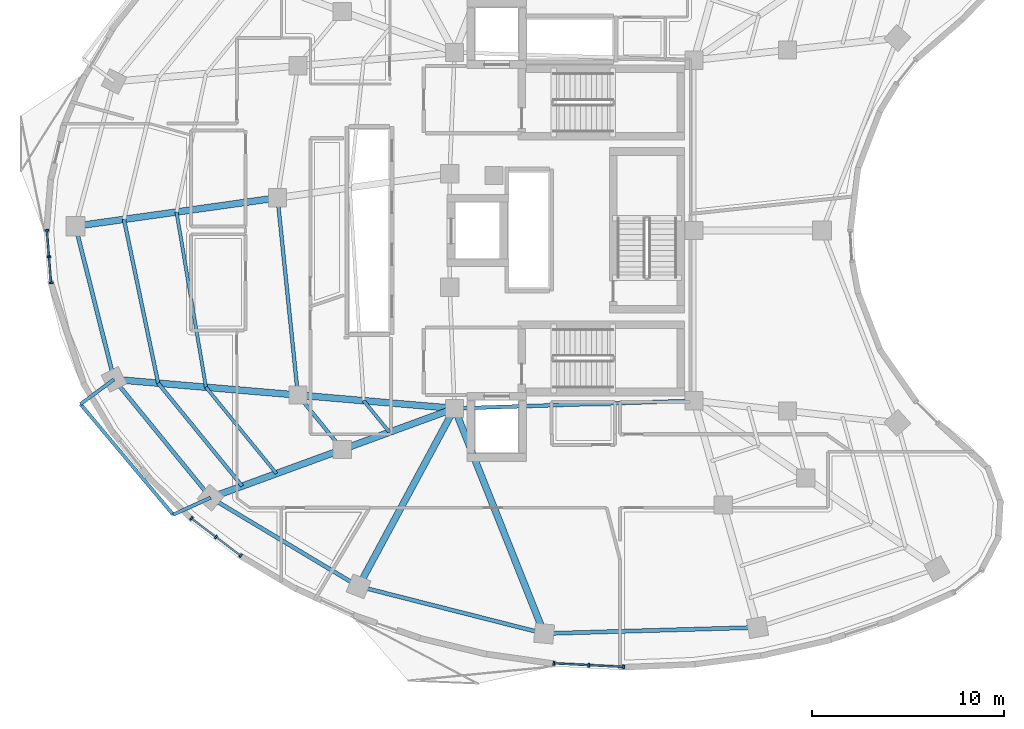
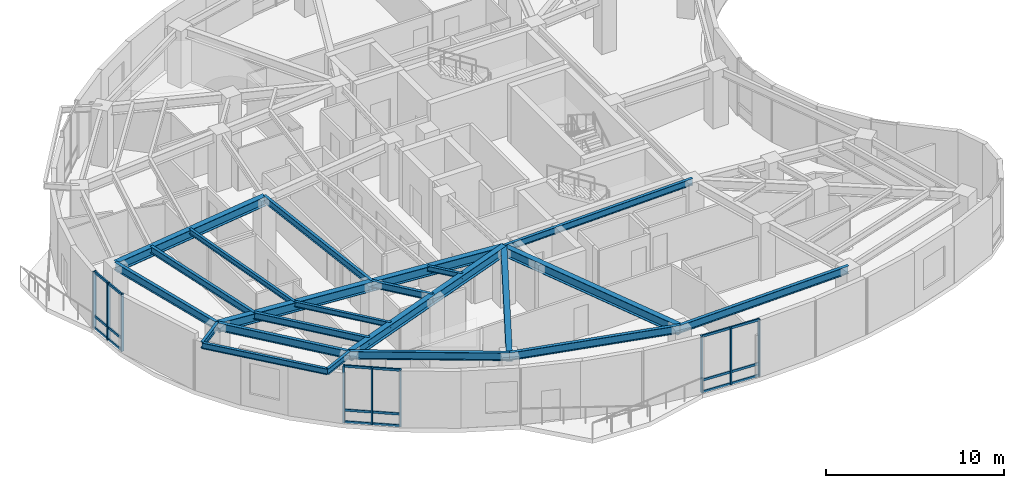
# One storey, part 2 of 14: 27 members, 23 beams, 3 elements without a shape of their own.
"""IFC4 building model written with IfcOpenShell, lengths in metres."""

from ifc_helpers import new_model, si_unit, direction, frame, origin, origin_2d, place, context, subcontext, project, spatial, rectangle, i_section, extrude, material, layer, layer_set, material_profile, profile_set, type_object, element, aggregate, save


model = new_model("IFC4")

# Units and contexts
model_context = context("Model", 3, precision=1e-05, world=origin(), true_north=direction((0.0, 1.0)))
body_context = subcontext(model_context, "Body", "Model", "MODEL_VIEW")
ifc_project = project(units=[si_unit("LENGTHUNIT", "METRE"), si_unit("AREAUNIT", "SQUARE_METRE"), si_unit("VOLUMEUNIT", "CUBIC_METRE"), si_unit("PLANEANGLEUNIT", "RADIAN"), si_unit("MASSUNIT", "GRAM", prefix="KILO")], contexts=[model_context])

# Site, building, storey
site_placement = place(None, origin())
site = spatial("IfcSite", under=ifc_project, at=site_placement, CompositionType="ELEMENT")
building_placement = place(site_placement, origin())
building = spatial("IfcBuilding", under=site, at=building_placement, Name="Korentha Bioscience Tower", CompositionType="ELEMENT")
storey_placement = place(building_placement, frame((0.0, 0.0, 231.0)))
storey = spatial("IfcBuildingStorey", under=building, at=storey_placement, Name="L53", CompositionType="ELEMENT", Elevation=231.0)

# Beams
ifc_material_1 = material(Name="Steel S355", Category="steel")
ifc_material_profile_1 = material_profile(ifc_material_1, i_section(OverallWidth=0.18994140625, OverallDepth=0.45703125, WebThickness=0.009033203125, FlangeThickness=0.014404296875, at=origin_2d()), Name="Steel S355")
ifc_profile_set_1 = profile_set([ifc_material_profile_1], Name="Steel S355 (MB-460)")
beam_type_1 = type_object("IfcBeamType", Name="Mid-Ring Tie Girder W460x74", PredefinedType="BEAM", material=ifc_profile_set_1)
beam_1_placement = place(storey_placement, frame((15.903076171875, 28.69482421875, 3.67138671875), z_axis=(0.102606546494, -0.994722019771, 0.0), x_axis=(0.994722019771, 0.102606546494, 0.0)))
element("IfcBeam", 1, at=beam_1_placement, inside=storey, type_object=beam_type_1, Name="L53 Mid-Ring Tie Girder 07", PredefinedType="BEAM", context=body_context, shape_type="SweptSolid", body=[
    extrude(i_section(OverallWidth=0.18994140625, OverallDepth=0.45703125, WebThickness=0.009033203125, FlangeThickness=0.014404296875, at=origin_2d()), origin(), (0.0, 0.0, 1.0), 10.30517578125),
])
beam_2_placement = place(storey_placement, frame((16.96044921875, 18.444091796875, 3.67138671875), z_axis=(0.632275728894, -0.774743443116, 0.0), x_axis=(0.774743443116, 0.632275728894, 0.0)))
element("IfcBeam", 2, at=beam_2_placement, inside=storey, type_object=beam_type_1, Name="L53 Mid-Ring Tie Girder 08", PredefinedType="BEAM", context=body_context, shape_type="SweptSolid", body=[
    extrude(i_section(OverallWidth=0.18994140625, OverallDepth=0.45703125, WebThickness=0.009033203125, FlangeThickness=0.014404296875, at=origin_2d()), origin(), (0.0, 0.0, 1.0), 3.650146484375),
])
beam_3_placement = place(storey_placement, frame((25.10009765625, 17.75, 3.67138671875), z_axis=(0.999484526071, 0.032104238723, 0.0), x_axis=(-0.032104238723, 0.999484526071, 0.0)))
element("IfcBeam", 3, at=beam_3_placement, inside=storey, type_object=beam_type_1, Name="L53 Core Ring Tie Girder 05", PredefinedType="BEAM", context=body_context, shape_type="SweptSolid", body=[
    extrude(i_section(OverallWidth=0.18994140625, OverallDepth=0.45703125, WebThickness=0.009033203125, FlangeThickness=0.014404296875, at=origin_2d()), origin(), (0.0, 0.0, 1.0), 12.456298828125),
])

# Curtain wall, members
ifc_material_2 = material(Name="Thermally Broken Aluminium Frame", Category="aluminium")
ifc_layer = layer(ifc_material_2, 0.219970703125, Name="Thermally Broken Aluminium Frame")
ifc_layer_set = layer_set([ifc_layer], Name="Thermally Broken Aluminium Frame (CW-T1)")
curtain_wall_type = type_object("IfcCurtainWallType", Name="Standard Bioscience Lab Unitised Curtain Wall CW-T1", PredefinedType="USERDEFINED", material=ifc_layer_set)
curtain_wall_1_placement = place(storey_placement, origin())
curtain_wall_1 = element("IfcCurtainWall", 4, at=curtain_wall_1_placement, inside=storey, type_object=curtain_wall_type, Name="L53 Curtain Wall 19", ObjectType="UNITISED", PredefinedType="USERDEFINED")
ifc_material_3 = material(Name="Anodised Aluminium 6063-T6", Category="aluminium")
ifc_material_profile_2 = material_profile(ifc_material_3, rectangle(XDim=0.090087890625, YDim=0.199951171875, at=origin_2d()), Name="Anodised Aluminium 6063-T6")
ifc_profile_set_2 = profile_set([ifc_material_profile_2], Name="Anodised Aluminium 6063-T6 (CW-MUL)")
member_type_1 = type_object("IfcMemberType", Name="Mullion RECT 90x200", PredefinedType="MULLION", material=ifc_profile_set_2)
member_1_placement = place(storey_placement, frame((3.9169921875, 27.0078125, 0.0), z_axis=(0.0, 0.0, 1.0), x_axis=(0.07974803224, -0.996815053736, 0.0)))
member_1 = element("IfcMember", 5, at=member_1_placement, type_object=member_type_1, Name="CW-L53-19 Mullion 1", PredefinedType="MULLION", context=body_context, shape_type="SweptSolid", body=[
    extrude(rectangle(XDim=0.090087890625, YDim=0.199951171875, at=origin_2d()), origin(), (0.0, 0.0, 1.0), 3.89990234375),
])
member_2_placement = place(storey_placement, frame((4.026123046875, 25.642578125, 0.0), z_axis=(0.0, 0.0, 1.0), x_axis=(0.07974803224, -0.996815053736, 0.0)))
member_2 = element("IfcMember", 6, at=member_2_placement, type_object=member_type_1, Name="CW-L53-19 Mullion 2", PredefinedType="MULLION", context=body_context, shape_type="SweptSolid", body=[
    extrude(rectangle(XDim=0.090087890625, YDim=0.199951171875, at=origin_2d()), origin(), (0.0, 0.0, 1.0), 3.89990234375),
])
member_3_placement = place(storey_placement, frame((4.13525390625, 24.277587890625, 0.0), z_axis=(0.0, 0.0, 1.0), x_axis=(0.07974803224, -0.996815053736, 0.0)))
member_3 = element("IfcMember", 7, at=member_3_placement, type_object=member_type_1, Name="CW-L53-19 Mullion 3", PredefinedType="MULLION", context=body_context, shape_type="SweptSolid", body=[
    extrude(rectangle(XDim=0.090087890625, YDim=0.199951171875, at=origin_2d()), origin(), (0.0, 0.0, 1.0), 3.89990234375),
])

curtain_wall_2_placement = place(storey_placement, origin())
curtain_wall_2 = element("IfcCurtainWall", 8, at=curtain_wall_2_placement, inside=storey, type_object=curtain_wall_type, Name="L53 Curtain Wall 25", ObjectType="UNITISED", PredefinedType="USERDEFINED")
member_4_placement = place(storey_placement, frame((11.423095703125, 12.036865234375, 0.0), z_axis=(0.0, 0.0, 1.0), x_axis=(0.796889131105, -0.604125576951, 0.0)))
member_4 = element("IfcMember", 9, at=member_4_placement, type_object=member_type_1, Name="CW-L53-25 Mullion 1", PredefinedType="MULLION", context=body_context, shape_type="SweptSolid", body=[
    extrude(rectangle(XDim=0.090087890625, YDim=0.199951171875, at=origin_2d()), origin(), (0.0, 0.0, 1.0), 3.89990234375),
])
member_5_placement = place(storey_placement, frame((12.704345703125, 11.065673828125, 0.0), z_axis=(0.0, 0.0, 1.0), x_axis=(0.796889131105, -0.604125576951, 0.0)))
member_5 = element("IfcMember", 10, at=member_5_placement, type_object=member_type_1, Name="CW-L53-25 Mullion 2", PredefinedType="MULLION", context=body_context, shape_type="SweptSolid", body=[
    extrude(rectangle(XDim=0.090087890625, YDim=0.199951171875, at=origin_2d()), origin(), (0.0, 0.0, 1.0), 3.89990234375),
])
member_6_placement = place(storey_placement, frame((13.985595703125, 10.09423828125, 0.0), z_axis=(0.0, 0.0, 1.0), x_axis=(0.796889131105, -0.604125576951, 0.0)))
member_6 = element("IfcMember", 11, at=member_6_placement, type_object=member_type_1, Name="CW-L53-25 Mullion 3", PredefinedType="MULLION", context=body_context, shape_type="SweptSolid", body=[
    extrude(rectangle(XDim=0.090087890625, YDim=0.199951171875, at=origin_2d()), origin(), (0.0, 0.0, 1.0), 3.89990234375),
])

curtain_wall_3_placement = place(storey_placement, origin())
curtain_wall_3 = element("IfcCurtainWall", 12, at=curtain_wall_3_placement, inside=storey, type_object=curtain_wall_type, Name="L53 Curtain Wall 31", ObjectType="UNITISED", PredefinedType="USERDEFINED")
member_7_placement = place(storey_placement, frame((30.262939453125, 4.501708984375, 0.0), z_axis=(0.0, 0.0, 1.0), x_axis=(0.998695818107, -0.051055488397, 0.0)))
member_7 = element("IfcMember", 13, at=member_7_placement, type_object=member_type_1, Name="CW-L53-31 Mullion 1", PredefinedType="MULLION", context=body_context, shape_type="SweptSolid", body=[
    extrude(rectangle(XDim=0.090087890625, YDim=0.199951171875, at=origin_2d()), origin(), (0.0, 0.0, 1.0), 3.89990234375),
])
member_8_placement = place(storey_placement, frame((32.078125, 4.40869140625, 0.0), z_axis=(0.0, 0.0, 1.0), x_axis=(0.998695818107, -0.051055488397, 0.0)))
member_8 = element("IfcMember", 14, at=member_8_placement, type_object=member_type_1, Name="CW-L53-31 Mullion 2", PredefinedType="MULLION", context=body_context, shape_type="SweptSolid", body=[
    extrude(rectangle(XDim=0.090087890625, YDim=0.199951171875, at=origin_2d()), origin(), (0.0, 0.0, 1.0), 3.89990234375),
])
member_9_placement = place(storey_placement, frame((33.8935546875, 4.31591796875, 0.0), z_axis=(0.0, 0.0, 1.0), x_axis=(0.998695818107, -0.051055488397, 0.0)))
member_9 = element("IfcMember", 15, at=member_9_placement, type_object=member_type_1, Name="CW-L53-31 Mullion 3", PredefinedType="MULLION", context=body_context, shape_type="SweptSolid", body=[
    extrude(rectangle(XDim=0.090087890625, YDim=0.199951171875, at=origin_2d()), origin(), (0.0, 0.0, 1.0), 3.89990234375),
])

# Beams
ifc_material_profile_3 = material_profile(ifc_material_1, i_section(OverallWidth=0.208984375, OverallDepth=0.532958984375, WebThickness=0.01025390625, FlangeThickness=0.015625, at=origin_2d()), Name="Steel S355")
ifc_profile_set_3 = profile_set([ifc_material_profile_3], Name="Steel S355 (SB-530)")
beam_type_2 = type_object("IfcBeamType", Name="Perimeter Ring Spandrel Girder W530x92", PredefinedType="SPANDREL", material=ifc_profile_set_3)
beam_4_placement = place(storey_placement, frame((5.39990234375, 27.2216796875, 3.633544921875), z_axis=(0.244207174084, -0.969723082187, 0.0), x_axis=(0.969723082187, 0.244207174084, 0.0)))
element("IfcBeam", 16, at=beam_4_placement, inside=storey, type_object=beam_type_2, Name="L53 Perimeter Spandrel Girder 07", PredefinedType="SPANDREL", context=body_context, shape_type="SweptSolid", body=[
    extrude(i_section(OverallWidth=0.208984375, OverallDepth=0.532958984375, WebThickness=0.01025390625, FlangeThickness=0.015625, at=origin_2d()), origin(), (0.0, 0.0, 1.0), 8.211669921875),
])
beam_5_placement = place(storey_placement, frame((7.4052734375, 19.258544921875, 3.633544921875), z_axis=(0.632315820697, -0.774710722074, 0.0), x_axis=(0.774710722074, 0.632315820697, 0.0)))
element("IfcBeam", 17, at=beam_5_placement, inside=storey, type_object=beam_type_2, Name="L53 Perimeter Spandrel Girder 08", PredefinedType="SPANDREL", context=body_context, shape_type="SweptSolid", body=[
    extrude(i_section(OverallWidth=0.208984375, OverallDepth=0.532958984375, WebThickness=0.01025390625, FlangeThickness=0.015625, at=origin_2d()), origin(), (0.0, 0.0, 1.0), 7.934814453125),
])
beam_6_placement = place(storey_placement, frame((12.422607421875, 13.111328125, 3.633544921875), z_axis=(0.857644232791, -0.514243492872, 0.0), x_axis=(0.514243492872, 0.857644232791, 0.0)))
element("IfcBeam", 18, at=beam_6_placement, inside=storey, type_object=beam_type_2, Name="L53 Perimeter Spandrel Girder 09", PredefinedType="SPANDREL", context=body_context, shape_type="SweptSolid", body=[
    extrude(i_section(OverallWidth=0.208984375, OverallDepth=0.532958984375, WebThickness=0.01025390625, FlangeThickness=0.015625, at=origin_2d()), origin(), (0.0, 0.0, 1.0), 8.96728515625),
])
beam_7_placement = place(storey_placement, frame((20.11328125, 8.5, 3.633544921875), z_axis=(0.969197317616, -0.246285524395, 0.0), x_axis=(0.246285524395, 0.969197317616, 0.0)))
element("IfcBeam", 19, at=beam_7_placement, inside=storey, type_object=beam_type_2, Name="L53 Perimeter Spandrel Girder 10", PredefinedType="SPANDREL", context=body_context, shape_type="SweptSolid", body=[
    extrude(i_section(OverallWidth=0.208984375, OverallDepth=0.532958984375, WebThickness=0.01025390625, FlangeThickness=0.015625, at=origin_2d()), origin(), (0.0, 0.0, 1.0), 9.95263671875),
])
beam_8_placement = place(storey_placement, frame((29.75927734375, 6.048828125, 3.633544921875), z_axis=(0.999586140554, 0.028767127286, 0.0), x_axis=(-0.028767127286, 0.999586140554, 0.0)))
element("IfcBeam", 20, at=beam_8_placement, inside=storey, type_object=beam_type_2, Name="L53 Perimeter Spandrel Girder 11", PredefinedType="SPANDREL", context=body_context, shape_type="SweptSolid", body=[
    extrude(i_section(OverallWidth=0.208984375, OverallDepth=0.532958984375, WebThickness=0.01025390625, FlangeThickness=0.015625, at=origin_2d()), origin(), (0.0, 0.0, 1.0), 11.09228515625),
])
ifc_material_profile_4 = material_profile(ifc_material_1, i_section(OverallWidth=0.18994140625, OverallDepth=0.45703125, WebThickness=0.009033203125, FlangeThickness=0.014404296875, at=origin_2d()), Name="Steel S355")
ifc_profile_set_4 = profile_set([ifc_material_profile_4], Name="Steel S355 (RB-460)")
beam_type_3 = type_object("IfcBeamType", Name="Radial Laboratory Beam W460x74", PredefinedType="BEAM", material=ifc_profile_set_4)
beam_9_placement = place(storey_placement, frame((7.920654296875, 27.5751953125, 3.67138671875), z_axis=(0.204445291573, -0.978877991761, 0.0), x_axis=(0.978877991761, 0.204445291573, 0.0)))
element("IfcBeam", 21, at=beam_9_placement, inside=storey, type_object=beam_type_3, Name="L53 Secondary Floor Beam JSTO-07", PredefinedType="BEAM", context=body_context, shape_type="SweptSolid", body=[
    extrude(i_section(OverallWidth=0.18994140625, OverallDepth=0.45703125, WebThickness=0.009033203125, FlangeThickness=0.014404296875, at=origin_2d()), origin(), (0.0, 0.0, 1.0), 8.69580078125),
])
beam_10_placement = place(storey_placement, frame((9.698486328125, 19.06298828125, 3.67138671875), z_axis=(0.632321075077, -0.77470643344, 0.0), x_axis=(0.77470643344, 0.632321075077, 0.0)))
element("IfcBeam", 22, at=beam_10_placement, inside=storey, type_object=beam_type_3, Name="L53 Secondary Floor Beam JSTO-08", PredefinedType="BEAM", context=body_context, shape_type="SweptSolid", body=[
    extrude(i_section(OverallWidth=0.18994140625, OverallDepth=0.45703125, WebThickness=0.009033203125, FlangeThickness=0.014404296875, at=origin_2d()), origin(), (0.0, 0.0, 1.0), 6.906494140625),
])
ifc_material_profile_5 = material_profile(ifc_material_1, i_section(OverallWidth=0.35009765625, OverallDepth=0.64990234375, WebThickness=0.01611328125, FlangeThickness=0.02490234375, at=origin_2d()), Name="Steel S355")
ifc_profile_set_5 = profile_set([ifc_material_profile_5], Name="Steel S355 (RB-650)")
beam_type_4 = type_object("IfcBeamType", Name="Radial Laboratory Girder CVS 650x208", PredefinedType="BEAM", material=ifc_profile_set_5)
beam_11_placement = place(storey_placement, frame((15.903076171875, 28.69482421875, 3.574951171875), z_axis=(-0.990306757518, -0.138897537827, 0.0), x_axis=(0.138897537827, -0.990306757518, 0.0)))
element("IfcBeam", 23, at=beam_11_placement, inside=storey, type_object=beam_type_4, Name="L53 Outer Radial Girder 07", PredefinedType="BEAM", context=body_context, shape_type="SweptSolid", body=[
    extrude(i_section(OverallWidth=0.35009765625, OverallDepth=0.64990234375, WebThickness=0.01611328125, FlangeThickness=0.02490234375, at=origin_2d()), origin(), (0.0, 0.0, 1.0), 10.60595703125),
])
beam_12_placement = place(storey_placement, frame((25.10009765625, 17.75, 3.574951171875), z_axis=(-0.996383970884, 0.084964595957, 0.0), x_axis=(-0.084964595957, -0.996383970884, 0.0)))
element("IfcBeam", 24, at=beam_12_placement, inside=storey, type_object=beam_type_4, Name="L53 Inner Radial Girder 08", PredefinedType="BEAM", context=body_context, shape_type="SweptSolid", body=[
    extrude(i_section(OverallWidth=0.35009765625, OverallDepth=0.64990234375, WebThickness=0.01611328125, FlangeThickness=0.02490234375, at=origin_2d()), origin(), (0.0, 0.0, 1.0), 8.169189453125),
])
beam_13_placement = place(storey_placement, frame((16.96044921875, 18.444091796875, 3.574951171875), z_axis=(-0.996387014591, 0.084928894698, 0.0), x_axis=(-0.084928894698, -0.996387014591, 0.0)))
element("IfcBeam", 25, at=beam_13_placement, inside=storey, type_object=beam_type_4, Name="L53 Outer Radial Girder 08", PredefinedType="BEAM", context=body_context, shape_type="SweptSolid", body=[
    extrude(i_section(OverallWidth=0.35009765625, OverallDepth=0.64990234375, WebThickness=0.01611328125, FlangeThickness=0.02490234375, at=origin_2d()), origin(), (0.0, 0.0, 1.0), 9.58984375),
])
beam_14_placement = place(storey_placement, frame((25.10009765625, 17.75, 3.574951171875), z_axis=(-0.939112022558, -0.343611130622, 0.0), x_axis=(0.343611130622, -0.939112022558, 0.0)))
element("IfcBeam", 26, at=beam_14_placement, inside=storey, type_object=beam_type_4, Name="L53 Inner Radial Girder 09", PredefinedType="BEAM", context=body_context, shape_type="SweptSolid", body=[
    extrude(i_section(OverallWidth=0.35009765625, OverallDepth=0.64990234375, WebThickness=0.01611328125, FlangeThickness=0.02490234375, at=origin_2d()), origin(), (0.0, 0.0, 1.0), 6.2099609375),
])
beam_15_placement = place(storey_placement, frame((19.268310546875, 15.6162109375, 3.574951171875), z_axis=(-0.939107036581, -0.343624757322, 0.0), x_axis=(0.343624757322, -0.939107036581, 0.0)))
element("IfcBeam", 27, at=beam_15_placement, inside=storey, type_object=beam_type_4, Name="L53 Outer Radial Girder 09", PredefinedType="BEAM", context=body_context, shape_type="SweptSolid", body=[
    extrude(i_section(OverallWidth=0.35009765625, OverallDepth=0.64990234375, WebThickness=0.01611328125, FlangeThickness=0.02490234375, at=origin_2d()), origin(), (0.0, 0.0, 1.0), 7.28955078125),
])
beam_16_placement = place(storey_placement, frame((25.10009765625, 17.75, 3.574951171875), z_axis=(-0.474545867703, -0.880230776243, 0.0), x_axis=(0.880230776243, -0.474545867703, 0.0)))
element("IfcBeam", 28, at=beam_16_placement, inside=storey, type_object=beam_type_4, Name="L53 Radial Girder 10", PredefinedType="BEAM", context=body_context, shape_type="SweptSolid", body=[
    extrude(i_section(OverallWidth=0.35009765625, OverallDepth=0.64990234375, WebThickness=0.01611328125, FlangeThickness=0.02490234375, at=origin_2d()), origin(), (0.0, 0.0, 1.0), 10.508544921875),
])
beam_17_placement = place(storey_placement, frame((25.10009765625, 17.75, 3.574951171875), z_axis=(0.369933042289, -0.929058418089, 0.0), x_axis=(0.929058418089, 0.369933042289, 0.0)))
element("IfcBeam", 29, at=beam_17_placement, inside=storey, type_object=beam_type_4, Name="L53 Radial Girder 11", PredefinedType="BEAM", context=body_context, shape_type="SweptSolid", body=[
    extrude(i_section(OverallWidth=0.35009765625, OverallDepth=0.64990234375, WebThickness=0.01611328125, FlangeThickness=0.02490234375, at=origin_2d()), origin(), (0.0, 0.0, 1.0), 12.5947265625),
])
ifc_material_profile_6 = material_profile(ifc_material_1, i_section(OverallWidth=0.1708984375, OverallDepth=0.35498046875, WebThickness=0.007080078125, FlangeThickness=0.01171875, at=origin_2d()), Name="Steel S355")
ifc_profile_set_6 = profile_set([ifc_material_profile_6], Name="Steel S355 (JB-360)")
beam_type_5 = type_object("IfcBeamType", Name="Secondary Laboratory Joist W360x51", PredefinedType="JOIST", material=ifc_profile_set_6)
beam_18_placement = place(storey_placement, frame((10.651611328125, 27.958251953125, 3.722412109375), z_axis=(0.165813560916, -0.986157118829, 0.0), x_axis=(0.986157118829, 0.165813560916, 0.0)))
element("IfcBeam", 30, at=beam_18_placement, inside=storey, type_object=beam_type_5, Name="L53 Secondary Floor Beam JST-07", PredefinedType="JOIST", context=body_context, shape_type="SweptSolid", body=[
    extrude(i_section(OverallWidth=0.1708984375, OverallDepth=0.35498046875, WebThickness=0.007080078125, FlangeThickness=0.01171875, at=origin_2d()), origin(), (0.0, 0.0, 1.0), 9.23486328125),
])
beam_19_placement = place(storey_placement, frame((12.182861328125, 18.851318359375, 3.722412109375), z_axis=(0.632303189088, -0.774721031771, 0.0), x_axis=(0.774721031771, 0.632303189088, 0.0)))
element("IfcBeam", 31, at=beam_19_placement, inside=storey, type_object=beam_type_5, Name="L53 Secondary Floor Beam JST-08", PredefinedType="JOIST", context=body_context, shape_type="SweptSolid", body=[
    extrude(i_section(OverallWidth=0.1708984375, OverallDepth=0.35498046875, WebThickness=0.007080078125, FlangeThickness=0.01171875, at=origin_2d()), origin(), (0.0, 0.0, 1.0), 5.79248046875),
])
beam_20_placement = place(storey_placement, frame((20.37890625, 18.152587890625, 3.722412109375), z_axis=(0.632370841021, -0.774665811448, 0.0), x_axis=(0.774665811448, 0.632370841021, 0.0)))
element("IfcBeam", 32, at=beam_20_placement, inside=storey, type_object=beam_type_5, Name="L53 Inner Bay Joist 08", PredefinedType="JOIST", context=body_context, shape_type="SweptSolid", body=[
    extrude(i_section(OverallWidth=0.1708984375, OverallDepth=0.35498046875, WebThickness=0.007080078125, FlangeThickness=0.01171875, at=origin_2d()), origin(), (0.0, 0.0, 1.0), 2.1171875),
])
ifc_material_profile_7 = material_profile(ifc_material_1, i_section(OverallWidth=0.177978515625, OverallDepth=0.406982421875, WebThickness=0.0078125, FlangeThickness=0.0126953125, at=origin_2d()), Name="Steel S355")
ifc_profile_set_7 = profile_set([ifc_material_profile_7], Name="Steel S355 (CB-410)")
beam_type_6 = type_object("IfcBeamType", Name="Sun-Ledge Cantilever Beam W410x60", PredefinedType="BEAM", material=ifc_profile_set_7)
beam_21_placement = place(storey_placement, frame((7.4052734375, 19.258544921875, 3.698486328125), z_axis=(-0.805064348913, -0.593187486474, 0.0), x_axis=(0.593187486474, -0.805064348913, 0.0)))
element("IfcBeam", 33, at=beam_21_placement, inside=storey, type_object=beam_type_6, Name="L53 Balcony Cantilever Bracket A-L54-03", PredefinedType="BEAM", context=body_context, shape_type="SweptSolid", body=[
    extrude(i_section(OverallWidth=0.177978515625, OverallDepth=0.406982421875, WebThickness=0.0078125, FlangeThickness=0.0126953125, at=origin_2d()), origin(), (0.0, 0.0, 1.0), 2.162841796875),
])
beam_22_placement = place(storey_placement, frame((12.422607421875, 13.111328125, 3.698486328125), z_axis=(-0.910350812247, -0.413837406045, 0.0), x_axis=(0.413837406045, -0.910350812247, 0.0)))
element("IfcBeam", 34, at=beam_22_placement, inside=storey, type_object=beam_type_6, Name="L53 Balcony Cantilever Bracket B-L54-03", PredefinedType="BEAM", context=body_context, shape_type="SweptSolid", body=[
    extrude(i_section(OverallWidth=0.177978515625, OverallDepth=0.406982421875, WebThickness=0.0078125, FlangeThickness=0.0126953125, at=origin_2d()), origin(), (0.0, 0.0, 1.0), 2.135009765625),
])
beam_23_placement = place(storey_placement, frame((5.6640625, 17.9755859375, 3.698486328125), z_axis=(0.642158330964, -0.766572030519, 0.0), x_axis=(0.766572030519, 0.642158330964, 0.0)))
element("IfcBeam", 35, at=beam_23_placement, inside=storey, type_object=beam_type_6, Name="L53 Balcony Edge Trimmer Beam L54-03", PredefinedType="BEAM", context=body_context, shape_type="SweptSolid", body=[
    extrude(i_section(OverallWidth=0.177978515625, OverallDepth=0.406982421875, WebThickness=0.0078125, FlangeThickness=0.0126953125, at=origin_2d()), origin(), (0.0, 0.0, 1.0), 7.498046875),
])

# Member
ifc_material_profile_8 = material_profile(ifc_material_3, rectangle(XDim=0.090087890625, YDim=0.159912109375, at=origin_2d()), Name="Anodised Aluminium 6063-T6")
ifc_profile_set_8 = profile_set([ifc_material_profile_8], Name="Anodised Aluminium 6063-T6 (CW-TRN)")
member_type_2 = type_object("IfcMemberType", Name="Transom RECT 90x160", PredefinedType="USERDEFINED", material=ifc_profile_set_8)
member_10_placement = place(storey_placement, frame((3.92041015625, 26.962890625, 0.044921875), z_axis=(0.079760390344, -0.996814064975, 0.0), x_axis=(0.996814064975, 0.079760390344, 0.0)))
member_10 = element("IfcMember", 36, at=member_10_placement, type_object=member_type_2, Name="CW-L53-19 Bay 1 Transom 1", ObjectType="TRANSOM", PredefinedType="USERDEFINED", context=body_context, shape_type="SweptSolid", body=[
    extrude(rectangle(XDim=0.090087890625, YDim=0.159912109375, at=origin_2d()), origin(), (0.0, 0.0, 1.0), 1.279541015625),
])

member_11_placement = place(storey_placement, frame((3.92041015625, 26.962890625, 0.85009765625), z_axis=(0.079760390344, -0.996814064975, 0.0), x_axis=(0.996814064975, 0.079760390344, 0.0)))
member_11 = element("IfcMember", 37, at=member_11_placement, type_object=member_type_2, Name="CW-L53-19 Bay 1 Transom 2", ObjectType="TRANSOM", PredefinedType="USERDEFINED", context=body_context, shape_type="SweptSolid", body=[
    extrude(rectangle(XDim=0.090087890625, YDim=0.159912109375, at=origin_2d()), origin(), (0.0, 0.0, 1.0), 1.279541015625),
])

member_12_placement = place(storey_placement, frame((3.92041015625, 26.962890625, 3.85498046875), z_axis=(0.079760390344, -0.996814064975, 0.0), x_axis=(0.996814064975, 0.079760390344, 0.0)))
member_12 = element("IfcMember", 38, at=member_12_placement, type_object=member_type_2, Name="CW-L53-19 Bay 1 Transom 3", ObjectType="TRANSOM", PredefinedType="USERDEFINED", context=body_context, shape_type="SweptSolid", body=[
    extrude(rectangle(XDim=0.090087890625, YDim=0.159912109375, at=origin_2d()), origin(), (0.0, 0.0, 1.0), 1.279541015625),
])

member_13_placement = place(storey_placement, frame((4.02978515625, 25.597900390625, 0.044921875), z_axis=(0.079570785596, -0.996829218111, 0.0), x_axis=(0.996829218111, 0.079570785596, 0.0)))
member_13 = element("IfcMember", 39, at=member_13_placement, type_object=member_type_2, Name="CW-L53-19 Bay 2 Transom 1", ObjectType="TRANSOM", PredefinedType="USERDEFINED", context=body_context, shape_type="SweptSolid", body=[
    extrude(rectangle(XDim=0.090087890625, YDim=0.159912109375, at=origin_2d()), origin(), (0.0, 0.0, 1.0), 1.279541015625),
])

member_14_placement = place(storey_placement, frame((4.02978515625, 25.597900390625, 0.85009765625), z_axis=(0.079570785596, -0.996829218111, 0.0), x_axis=(0.996829218111, 0.079570785596, 0.0)))
member_14 = element("IfcMember", 40, at=member_14_placement, type_object=member_type_2, Name="CW-L53-19 Bay 2 Transom 2", ObjectType="TRANSOM", PredefinedType="USERDEFINED", context=body_context, shape_type="SweptSolid", body=[
    extrude(rectangle(XDim=0.090087890625, YDim=0.159912109375, at=origin_2d()), origin(), (0.0, 0.0, 1.0), 1.279541015625),
])

member_15_placement = place(storey_placement, frame((4.02978515625, 25.597900390625, 3.85498046875), z_axis=(0.079570785596, -0.996829218111, 0.0), x_axis=(0.996829218111, 0.079570785596, 0.0)))
member_15 = element("IfcMember", 41, at=member_15_placement, type_object=member_type_2, Name="CW-L53-19 Bay 2 Transom 3", ObjectType="TRANSOM", PredefinedType="USERDEFINED", context=body_context, shape_type="SweptSolid", body=[
    extrude(rectangle(XDim=0.090087890625, YDim=0.159912109375, at=origin_2d()), origin(), (0.0, 0.0, 1.0), 1.279541015625),
])

aggregate(curtain_wall_1, [member_1, member_2, member_3, member_10, member_11, member_12, member_13, member_14, member_15])

member_16_placement = place(storey_placement, frame((11.458984375, 12.009765625, 0.044921875), z_axis=(0.796862167345, -0.604161142622, 0.0), x_axis=(0.604161142622, 0.796862167345, 0.0)))
member_16 = element("IfcMember", 42, at=member_16_placement, type_object=member_type_2, Name="CW-L53-25 Bay 1 Transom 1", ObjectType="TRANSOM", PredefinedType="USERDEFINED", context=body_context, shape_type="SweptSolid", body=[
    extrude(rectangle(XDim=0.090087890625, YDim=0.159912109375, at=origin_2d()), origin(), (0.0, 0.0, 1.0), 1.517822265625),
])

member_17_placement = place(storey_placement, frame((11.458984375, 12.009765625, 0.85009765625), z_axis=(0.796862167345, -0.604161142622, 0.0), x_axis=(0.604161142622, 0.796862167345, 0.0)))
member_17 = element("IfcMember", 43, at=member_17_placement, type_object=member_type_2, Name="CW-L53-25 Bay 1 Transom 2", ObjectType="TRANSOM", PredefinedType="USERDEFINED", context=body_context, shape_type="SweptSolid", body=[
    extrude(rectangle(XDim=0.090087890625, YDim=0.159912109375, at=origin_2d()), origin(), (0.0, 0.0, 1.0), 1.517822265625),
])

member_18_placement = place(storey_placement, frame((11.458984375, 12.009765625, 3.85498046875), z_axis=(0.796862167345, -0.604161142622, 0.0), x_axis=(0.604161142622, 0.796862167345, 0.0)))
member_18 = element("IfcMember", 44, at=member_18_placement, type_object=member_type_2, Name="CW-L53-25 Bay 1 Transom 3", ObjectType="TRANSOM", PredefinedType="USERDEFINED", context=body_context, shape_type="SweptSolid", body=[
    extrude(rectangle(XDim=0.090087890625, YDim=0.159912109375, at=origin_2d()), origin(), (0.0, 0.0, 1.0), 1.517822265625),
])

member_19_placement = place(storey_placement, frame((12.740234375, 11.038330078125, 0.044921875), z_axis=(0.796939607942, -0.604058988256, 0.0), x_axis=(0.604058988256, 0.796939607942, 0.0)))
member_19 = element("IfcMember", 45, at=member_19_placement, type_object=member_type_2, Name="CW-L53-25 Bay 2 Transom 1", ObjectType="TRANSOM", PredefinedType="USERDEFINED", context=body_context, shape_type="SweptSolid", body=[
    extrude(rectangle(XDim=0.090087890625, YDim=0.159912109375, at=origin_2d()), origin(), (0.0, 0.0, 1.0), 1.517578125),
])

member_20_placement = place(storey_placement, frame((12.740234375, 11.038330078125, 0.85009765625), z_axis=(0.796939607942, -0.604058988256, 0.0), x_axis=(0.604058988256, 0.796939607942, 0.0)))
member_20 = element("IfcMember", 46, at=member_20_placement, type_object=member_type_2, Name="CW-L53-25 Bay 2 Transom 2", ObjectType="TRANSOM", PredefinedType="USERDEFINED", context=body_context, shape_type="SweptSolid", body=[
    extrude(rectangle(XDim=0.090087890625, YDim=0.159912109375, at=origin_2d()), origin(), (0.0, 0.0, 1.0), 1.517578125),
])

member_21_placement = place(storey_placement, frame((12.740234375, 11.038330078125, 3.85498046875), z_axis=(0.796939607942, -0.604058988256, 0.0), x_axis=(0.604058988256, 0.796939607942, 0.0)))
member_21 = element("IfcMember", 47, at=member_21_placement, type_object=member_type_2, Name="CW-L53-25 Bay 2 Transom 3", ObjectType="TRANSOM", PredefinedType="USERDEFINED", context=body_context, shape_type="SweptSolid", body=[
    extrude(rectangle(XDim=0.090087890625, YDim=0.159912109375, at=origin_2d()), origin(), (0.0, 0.0, 1.0), 1.517578125),
])

aggregate(curtain_wall_2, [member_4, member_5, member_6, member_16, member_17, member_18, member_19, member_20, member_21])

member_22_placement = place(storey_placement, frame((30.307861328125, 4.499267578125, 0.044921875), z_axis=(0.998697837161, -0.051015978381, 0.0), x_axis=(0.051015978381, 0.998697837161, 0.0)))
member_22 = element("IfcMember", 48, at=member_22_placement, type_object=member_type_2, Name="CW-L53-31 Bay 1 Transom 1", ObjectType="TRANSOM", PredefinedType="USERDEFINED", context=body_context, shape_type="SweptSolid", body=[
    extrude(rectangle(XDim=0.090087890625, YDim=0.159912109375, at=origin_2d()), origin(), (0.0, 0.0, 1.0), 1.7275390625),
])

member_23_placement = place(storey_placement, frame((30.307861328125, 4.499267578125, 0.85009765625), z_axis=(0.998697837161, -0.051015978381, 0.0), x_axis=(0.051015978381, 0.998697837161, 0.0)))
member_23 = element("IfcMember", 49, at=member_23_placement, type_object=member_type_2, Name="CW-L53-31 Bay 1 Transom 2", ObjectType="TRANSOM", PredefinedType="USERDEFINED", context=body_context, shape_type="SweptSolid", body=[
    extrude(rectangle(XDim=0.090087890625, YDim=0.159912109375, at=origin_2d()), origin(), (0.0, 0.0, 1.0), 1.7275390625),
])

member_24_placement = place(storey_placement, frame((30.307861328125, 4.499267578125, 3.85498046875), z_axis=(0.998697837161, -0.051015978381, 0.0), x_axis=(0.051015978381, 0.998697837161, 0.0)))
member_24 = element("IfcMember", 50, at=member_24_placement, type_object=member_type_2, Name="CW-L53-31 Bay 1 Transom 3", ObjectType="TRANSOM", PredefinedType="USERDEFINED", context=body_context, shape_type="SweptSolid", body=[
    extrude(rectangle(XDim=0.090087890625, YDim=0.159912109375, at=origin_2d()), origin(), (0.0, 0.0, 1.0), 1.7275390625),
])

member_25_placement = place(storey_placement, frame((32.123291015625, 4.406494140625, 0.044921875), z_axis=(0.998697837161, -0.051015978381, 0.0), x_axis=(0.051015978381, 0.998697837161, 0.0)))
member_25 = element("IfcMember", 51, at=member_25_placement, type_object=member_type_2, Name="CW-L53-31 Bay 2 Transom 1", ObjectType="TRANSOM", PredefinedType="USERDEFINED", context=body_context, shape_type="SweptSolid", body=[
    extrude(rectangle(XDim=0.090087890625, YDim=0.159912109375, at=origin_2d()), origin(), (0.0, 0.0, 1.0), 1.7275390625),
])

member_26_placement = place(storey_placement, frame((32.123291015625, 4.406494140625, 0.85009765625), z_axis=(0.998697837161, -0.051015978381, 0.0), x_axis=(0.051015978381, 0.998697837161, 0.0)))
member_26 = element("IfcMember", 52, at=member_26_placement, type_object=member_type_2, Name="CW-L53-31 Bay 2 Transom 2", ObjectType="TRANSOM", PredefinedType="USERDEFINED", context=body_context, shape_type="SweptSolid", body=[
    extrude(rectangle(XDim=0.090087890625, YDim=0.159912109375, at=origin_2d()), origin(), (0.0, 0.0, 1.0), 1.7275390625),
])

member_27_placement = place(storey_placement, frame((32.123291015625, 4.406494140625, 3.85498046875), z_axis=(0.998697837161, -0.051015978381, 0.0), x_axis=(0.051015978381, 0.998697837161, 0.0)))
member_27 = element("IfcMember", 53, at=member_27_placement, type_object=member_type_2, Name="CW-L53-31 Bay 2 Transom 3", ObjectType="TRANSOM", PredefinedType="USERDEFINED", context=body_context, shape_type="SweptSolid", body=[
    extrude(rectangle(XDim=0.090087890625, YDim=0.159912109375, at=origin_2d()), origin(), (0.0, 0.0, 1.0), 1.7275390625),
])

aggregate(curtain_wall_3, [member_7, member_8, member_9, member_22, member_23, member_24, member_25, member_26, member_27])

save(model, "model.ifc")
